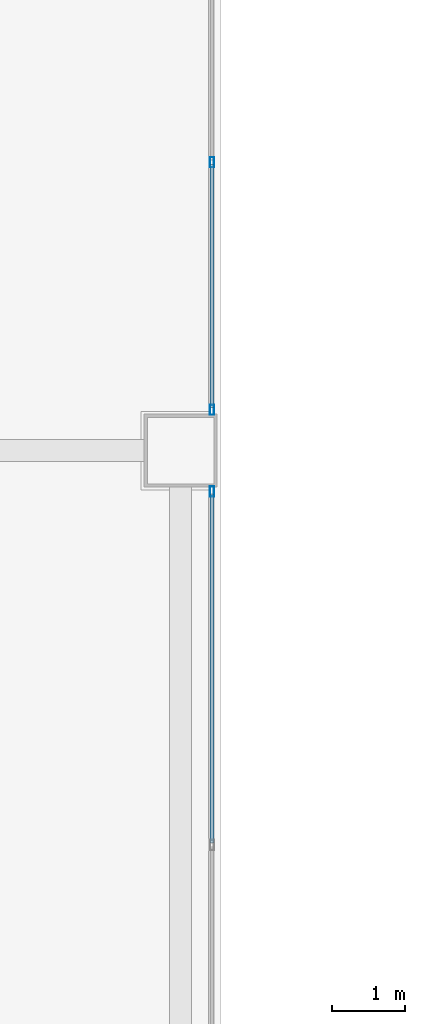
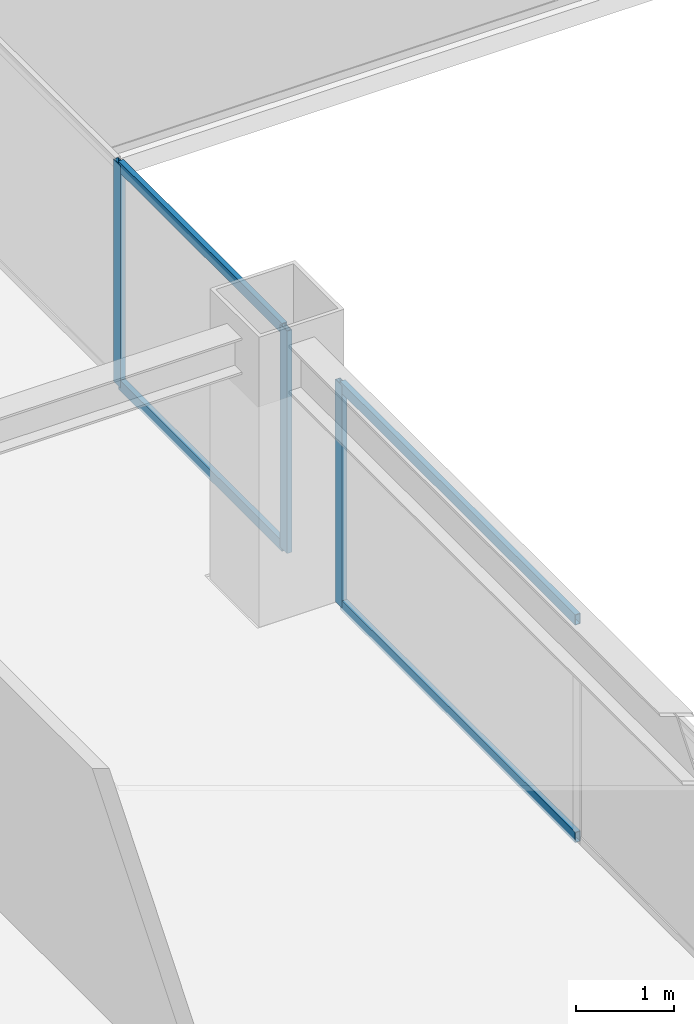
# One storey, part 7 of 29: 7 members, 2 elements without a shape of their own.
"""IFC4 building model written with IfcOpenShell, lengths in metres."""

from ifc_helpers import new_model, si_unit, direction, frame, origin, origin_2d, place, context, subcontext, project, spatial, hollow_rectangle, extrude, source, transform, mapped, material, layer, layer_set, material_profile, profile_set, type_object, element, aggregate, save


model = new_model("IFC4")

# Units and contexts
model_context = context("Model", 3, precision=1e-05, world=origin(), true_north=direction((0.0, 1.0)))
body_context = subcontext(model_context, "Body", "Model", "MODEL_VIEW")
ifc_project = project(units=[si_unit("LENGTHUNIT", "METRE"), si_unit("AREAUNIT", "SQUARE_METRE"), si_unit("VOLUMEUNIT", "CUBIC_METRE"), si_unit("PLANEANGLEUNIT", "RADIAN"), si_unit("MASSUNIT", "GRAM", prefix="KILO")], contexts=[model_context])

# Site, building, storey
site_placement = place(None, origin())
site = spatial("IfcSite", under=ifc_project, at=site_placement, CompositionType="ELEMENT")
building_placement = place(site_placement, origin())
building = spatial("IfcBuilding", under=site, at=building_placement, Name="Sumidabori Civic Tower", CompositionType="ELEMENT")
storey_placement = place(building_placement, frame((0.0, 0.0, 214.39990234375)))
storey = spatial("IfcBuildingStorey", under=building, at=storey_placement, Name="L55", CompositionType="ELEMENT", Elevation=214.39990234375)

# Curtain wall, member
ifc_material = material(Name="Anodised Bronze Aluminium AW-6063-T6", Category="aluminium")
ifc_layer = layer(ifc_material, 0.179931640625, Name="Anodised Bronze Aluminium AW-6063-T6")
ifc_layer_set = layer_set([ifc_layer], Name="Anodised Bronze Aluminium AW-6063-T6")
curtain_wall_type = type_object("IfcCurtainWallType", Name="CW-SYS-4", PredefinedType="NOTDEFINED", material=ifc_layer_set)
curtain_wall_1_placement = place(storey_placement, origin())
curtain_wall_1 = element("IfcCurtainWall", 1, at=curtain_wall_1_placement, inside=storey, type_object=curtain_wall_type, Name="Curtain Wall CW:L55:R03", PredefinedType="NOTDEFINED")
ifc_material_profile_1 = material_profile(ifc_material, hollow_rectangle(XDim=0.06005859375, YDim=0.139892578125, WallThickness=0.0048828125, at=origin_2d()), Name="ALU MULLION 140x60")
ifc_profile_set_1 = profile_set([ifc_material_profile_1], Name="Anodised Bronze Aluminium AW-6063-T6")
member_type_1 = type_object("IfcMemberType", Name="CW-MUL-140", PredefinedType="MULLION", material=ifc_profile_set_1)
shared_shape_1 = source(origin(), body_context, "Body", "SweptSolid", [
    extrude(hollow_rectangle(XDim=0.06005859375, YDim=0.139892578125, WallThickness=0.0048828125, at=origin_2d()), origin(), (0.0, 0.0, 1.0), 2.760009765625),
])
member_1_placement = place(storey_placement, frame((-7.969970703125, -0.56005859375, 0.0), z_axis=(0.0, 0.0, 1.0), x_axis=(-1.0, 0.0, 0.0)))
member_1 = element("IfcMember", 2, at=member_1_placement, type_object=member_type_1, Name="CW-4 mullion 3", PredefinedType="MULLION", context=body_context, shape_type="MappedRepresentation", body=[
    mapped(shared_shape_1, transform((0.0, 0.0, 0.0), x_axis=(1.0, 0.0, 0.0), y_axis=(0.0, 1.0, 0.0), z_axis=(0.0, 0.0, 1.0), scale=1.0)),
])

# Curtain wall, members
curtain_wall_2_placement = place(storey_placement, origin())
curtain_wall_2 = element("IfcCurtainWall", 3, at=curtain_wall_2_placement, inside=storey, type_object=curtain_wall_type, Name="Curtain Wall CW:L55:R04", PredefinedType="NOTDEFINED")
member_2_placement = place(storey_placement, frame((-7.969970703125, 0.56005859375, 0.0), z_axis=(0.0, 0.0, 1.0), x_axis=(-1.0, 0.0, 0.0)))
member_2 = element("IfcMember", 4, at=member_2_placement, type_object=member_type_1, Name="CW-4 mullion 1", PredefinedType="MULLION", context=body_context, shape_type="MappedRepresentation", body=[
    mapped(shared_shape_1, transform((0.0, 0.0, 0.0), x_axis=(1.0, 0.0, 0.0), y_axis=(0.0, 1.0, 0.0), z_axis=(0.0, 0.0, 1.0), scale=1.0)),
])
member_3_placement = place(storey_placement, frame((-7.969970703125, 3.949951171875, 0.0), z_axis=(0.0, 0.0, 1.0), x_axis=(-1.0, 0.0, 0.0)))
member_3 = element("IfcMember", 5, at=member_3_placement, type_object=member_type_1, Name="CW-4 mullion 2", PredefinedType="MULLION", context=body_context, shape_type="MappedRepresentation", body=[
    mapped(shared_shape_1, transform((0.0, 0.0, 0.0), x_axis=(1.0, 0.0, 0.0), y_axis=(0.0, 1.0, 0.0), z_axis=(0.0, 0.0, 1.0), scale=1.0)),
])

# Member
ifc_material_profile_2 = material_profile(ifc_material, hollow_rectangle(XDim=0.06005859375, YDim=0.1298828125, WallThickness=0.0048828125, at=origin_2d()), Name="ALU TRANSOM 130x60")
ifc_profile_set_2 = profile_set([ifc_material_profile_2], Name="Anodised Bronze Aluminium AW-6063-T6")
member_type_2 = type_object("IfcMemberType", Name="CW-TRN-130", PredefinedType="USERDEFINED", material=ifc_profile_set_2)
shared_shape_2 = source(origin(), body_context, "Body", "SweptSolid", [
    extrude(hollow_rectangle(XDim=0.06005859375, YDim=0.1298828125, WallThickness=0.0048828125, at=origin_2d()), origin(), (0.0, 0.0, 1.0), 4.780029296875),
])
member_4_placement = place(storey_placement, frame((-7.969970703125, -5.3701171875, 0.030029296875), z_axis=(0.0, 1.0, 0.0), x_axis=(-1.0, 0.0, 0.0)))
member_4 = element("IfcMember", 6, at=member_4_placement, type_object=member_type_2, Name="CW-4 transom 2.1", ObjectType="TRANSOM", PredefinedType="USERDEFINED", context=body_context, shape_type="MappedRepresentation", body=[
    mapped(shared_shape_2, transform((0.0, 0.0, 0.0), x_axis=(1.0, 0.0, 0.0), y_axis=(0.0, 1.0, 0.0), z_axis=(0.0, 0.0, 1.0), scale=1.0)),
])

member_5_placement = place(storey_placement, frame((-7.969970703125, -5.3701171875, 2.72998046875), z_axis=(0.0, 1.0, 0.0), x_axis=(-1.0, 0.0, 0.0)))
member_5 = element("IfcMember", 7, at=member_5_placement, type_object=member_type_2, Name="CW-4 transom 2.2", ObjectType="TRANSOM", PredefinedType="USERDEFINED", context=body_context, shape_type="MappedRepresentation", body=[
    mapped(shared_shape_2, transform((0.0, 0.0, 0.0), x_axis=(1.0, 0.0, 0.0), y_axis=(0.0, 1.0, 0.0), z_axis=(0.0, 0.0, 1.0), scale=1.0)),
])

aggregate(curtain_wall_1, [member_1, member_4, member_5])

shared_shape_3 = source(origin(), body_context, "Body", "SweptSolid", [
    extrude(hollow_rectangle(XDim=0.06005859375, YDim=0.1298828125, WallThickness=0.0048828125, at=origin_2d()), origin(), (0.0, 0.0, 1.0), 3.329833984375),
])
member_6_placement = place(storey_placement, frame((-7.969970703125, 0.590087890625, 0.030029296875), z_axis=(0.0, 1.0, 0.0), x_axis=(-1.0, 0.0, 0.0)))
member_6 = element("IfcMember", 8, at=member_6_placement, type_object=member_type_2, Name="CW-4 transom 1.1", ObjectType="TRANSOM", PredefinedType="USERDEFINED", context=body_context, shape_type="MappedRepresentation", body=[
    mapped(shared_shape_3, transform((0.0, 0.0, 0.0), x_axis=(1.0, 0.0, 0.0), y_axis=(0.0, 1.0, 0.0), z_axis=(0.0, 0.0, 1.0), scale=1.0)),
])

member_7_placement = place(storey_placement, frame((-7.969970703125, 0.590087890625, 2.72998046875), z_axis=(0.0, 1.0, 0.0), x_axis=(-1.0, 0.0, 0.0)))
member_7 = element("IfcMember", 9, at=member_7_placement, type_object=member_type_2, Name="CW-4 transom 1.2", ObjectType="TRANSOM", PredefinedType="USERDEFINED", context=body_context, shape_type="MappedRepresentation", body=[
    mapped(shared_shape_3, transform((0.0, 0.0, 0.0), x_axis=(1.0, 0.0, 0.0), y_axis=(0.0, 1.0, 0.0), z_axis=(0.0, 0.0, 1.0), scale=1.0)),
])

aggregate(curtain_wall_2, [member_2, member_3, member_6, member_7])

save(model, "model.ifc")
